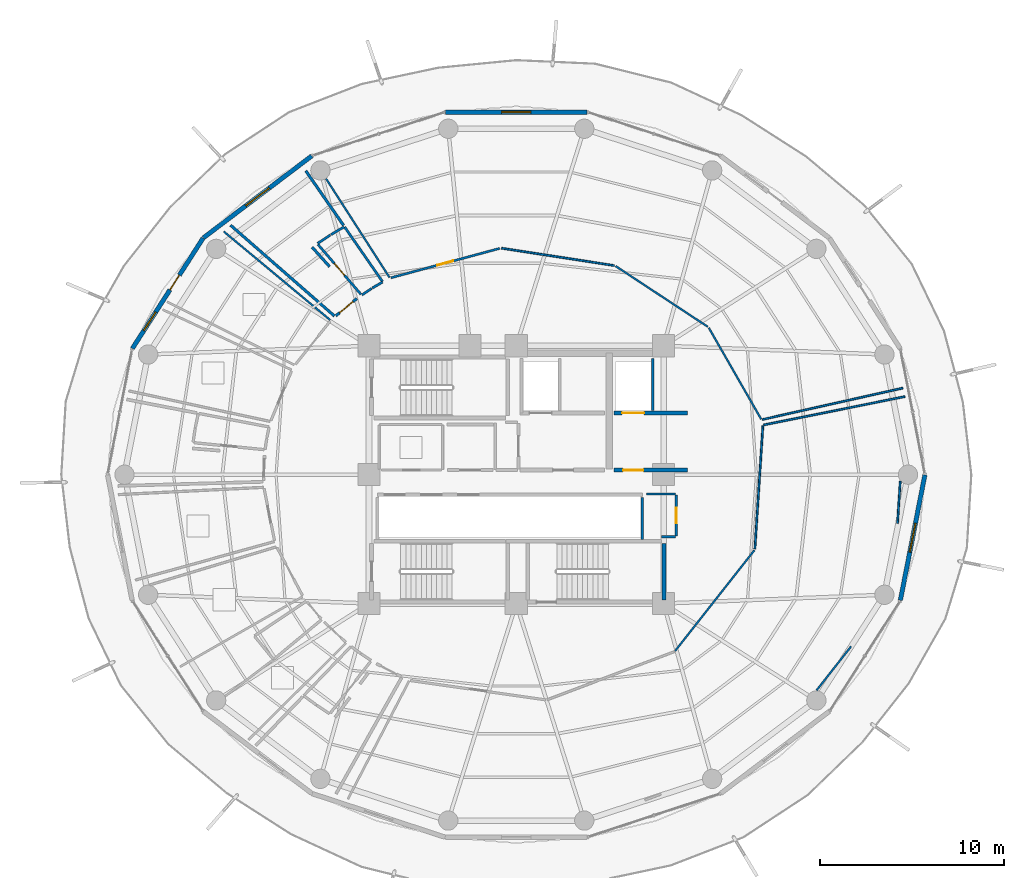
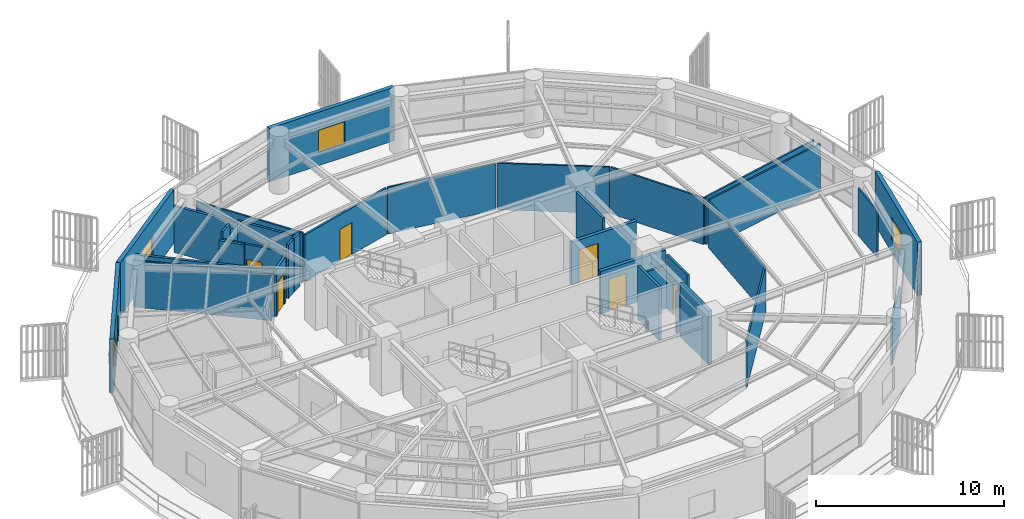
# One storey, part 26 of 31: 34 walls, 7 doors, 4 windows, 11 openings.
"""IFC4 building model written with IfcOpenShell, lengths in metres."""

from ifc_helpers import new_model, si_unit, direction, frame, frame_2d, origin, place, context, subcontext, project, spatial, rectangle, extrude, material, layer, layer_set, type_object, element, fill, save


model = new_model("IFC4")

# Units and contexts
model_context = context("Model", 3, precision=1e-05, world=origin(), true_north=direction((0.0, 1.0)))
body_context = subcontext(model_context, "Body", "Model", "MODEL_VIEW")
ifc_project = project(units=[si_unit("LENGTHUNIT", "METRE"), si_unit("AREAUNIT", "SQUARE_METRE"), si_unit("VOLUMEUNIT", "CUBIC_METRE"), si_unit("PLANEANGLEUNIT", "RADIAN"), si_unit("MASSUNIT", "GRAM", prefix="KILO")], contexts=[model_context])

# Site, building, storey
site_placement = place(None, origin())
site = spatial("IfcSite", under=ifc_project, at=site_placement, CompositionType="ELEMENT")
building_placement = place(site_placement, origin())
building = spatial("IfcBuilding", under=site, at=building_placement, Name="Kelanora Arch Commons", CompositionType="ELEMENT")
storey_placement = place(building_placement, frame((0.0, 0.0, 200.699951171875)))
storey = spatial("IfcBuildingStorey", under=building, at=storey_placement, Name="L51", CompositionType="ELEMENT", Elevation=200.699951171875)

# Walls
ifc_material_1 = material(Name="Autoclaved aerated concrete blockwork with fire plaster", Category="masonry")
ifc_layer_1 = layer(ifc_material_1, 0.14990234375)
ifc_layer_set_1 = layer_set([ifc_layer_1], Name="Autoclaved aerated concrete blockwork with fire plaster")
wall_type_1 = type_object("IfcWallType", Name="W-COMP-150", PredefinedType="PARTITIONING", material=ifc_layer_set_1)
wall_1_placement = place(storey_placement, frame((81.419921875, 61.47998046875, 0.0), z_axis=(0.0, 0.0, 1.0), x_axis=(0.0, 1.0, 0.0)))
element("IfcWall", 1, at=wall_1_placement, inside=storey, type_object=wall_type_1, Name="Firefighting Lift 2 East Shaft Wall L51", PredefinedType="PARTITIONING", context=body_context, shape_type="SweptSolid", body=[
    extrude(rectangle(XDim=2.840087890625, YDim=0.14990234375, at=frame_2d((1.419921875, 0.0))), origin(), (0.0, 0.0, 1.0), 3.47998046875),
])
wall_2_placement = place(storey_placement, frame((80.840087890625, 54.47998046875, 0.0), z_axis=(0.0, 0.0, 1.0), x_axis=(0.0, 1.0, 0.0)))
element("IfcWall", 2, at=wall_2_placement, inside=storey, type_object=wall_type_1, Name="South Lift Bank East Wall L51", PredefinedType="PARTITIONING", context=body_context, shape_type="SweptSolid", body=[
    extrude(rectangle(XDim=2.2900390625, YDim=0.14990234375, at=frame_2d((1.14501953125, 0.0))), origin(), (0.0, 0.0, 1.0), 3.47998046875),
])

# Wall, opening, door
wall_3_placement = place(storey_placement, frame((65.335693359375, 67.56103515625, 0.0), z_axis=(0.0, 0.0, 1.0), x_axis=(-0.773453544763, -0.633852990917, 0.0)))
wall_3 = element("IfcWall", 3, at=wall_3_placement, inside=storey, type_object=wall_type_1, Name="Co-Living Studio L51-01 Entry Partition", PredefinedType="PARTITIONING", context=body_context, shape_type="SweptSolid", body=[
    extrude(rectangle(XDim=1.468994140625, YDim=0.14990234375, at=frame_2d((0.734375, 0.0))), origin(), (0.0, 0.0, 1.0), 3.025146484375),
])
opening_1_placement = place(wall_3_placement, frame((0.259033203125, 0.0, 0.0)))
opening_1 = element("IfcOpeningElement", 4, at=opening_1_placement, cuts=wall_3, Name="Opening D-CLU1", PredefinedType="OPENING", context=body_context, shape_type="SweptSolid", body=[
    extrude(rectangle(XDim=0.949951171875, YDim=2.080078125, at=frame_2d((0.47509765625, 1.0400390625))), frame((0.0, 0.0849609375, 0.0), z_axis=(0.0, -1.0, 0.0), x_axis=(1.0, 0.0, 0.0)), (0.0, 0.0, 1.0), 0.169921875),
])
ifc_material_2 = material(Name="Solid-core acoustic timber cluster entry fire door", Category="wood")
door_type_1 = type_object("IfcDoorType", Name="D-CLU-95", OperationType="NOTDEFINED", PredefinedType="DOOR", material=ifc_material_2)
door_1_placement = place(opening_1_placement, origin())
door_1 = element("IfcDoor", 5, at=door_1_placement, inside=storey, type_object=door_type_1, Name="Co-Living Studio L51-01 Door", OperationType="SINGLE_SWING_RIGHT", OverallHeight=2.080078125, OverallWidth=0.949951171875, PredefinedType="DOOR", context=body_context, shape_type="SweptSolid", body=[
    extrude(rectangle(XDim=0.949951171875, YDim=2.080078125, at=frame_2d((0.47509765625, 1.0400390625))), frame((0.0, 0.02490234375, 0.0), z_axis=(0.0, -1.0, 0.0), x_axis=(1.0, 0.0, 0.0)), (0.0, 0.0, 1.0), 0.050048828125),
])
fill(opening_1, door_1)

# Walls
wall_4_placement = place(storey_placement, frame((64.122802734375, 66.618408203125, 0.0), z_axis=(0.0, 0.0, 1.0), x_axis=(-0.752988337425, 0.658033862124, 0.0)))
element("IfcWall", 6, at=wall_4_placement, inside=storey, type_object=wall_type_1, Name="Co-Living Studio L51-01 Enclosure Partition 2", PredefinedType="PARTITIONING", context=body_context, shape_type="SweptSolid", body=[
    extrude(rectangle(XDim=7.4921875, YDim=0.14990234375, at=frame_2d((3.74609375, 0.0))), origin(), (0.0, 0.0, 1.0), 3.074951171875),
])
wall_5_placement = place(storey_placement, frame((62.56591796875, 74.505126953125, 0.0), z_axis=(0.0, 0.0, 1.0), x_axis=(0.569125600833, -0.822250600776, 0.0)))
element("IfcWall", 7, at=wall_5_placement, inside=storey, type_object=wall_type_1, Name="Co-Living Studio L51-01 Enclosure Partition 5", PredefinedType="PARTITIONING", context=body_context, shape_type="SweptSolid", body=[
    extrude(rectangle(XDim=3.611083984375, YDim=0.14990234375, at=frame_2d((1.8056640625, 0.0))), origin(), (0.0, 0.0, 1.0), 3.025146484375),
])
wall_6_placement = place(storey_placement, frame((62.913818359375, 70.352294921875, 0.0), z_axis=(0.0, 0.0, 1.0), x_axis=(0.667393587085, -0.744705176508, 0.0)))
element("IfcWall", 8, at=wall_6_placement, inside=storey, type_object=wall_type_1, Name="Co-Living Studio L51-01 Enclosure Partition 7", PredefinedType="PARTITIONING", context=body_context, shape_type="SweptSolid", body=[
    extrude(rectangle(XDim=1.41796875, YDim=0.14990234375, at=frame_2d((0.708984375, 0.0))), origin(), (0.0, 0.0, 1.0), 3.175048828125),
])

# Wall, opening, window
ifc_material_3 = material(Name="Precast concrete C40/50 upper-zone terracotta rainscreen", Category="masonry")
ifc_layer_2 = layer(ifc_material_3, 0.239990234375)
ifc_layer_set_2 = layer_set([ifc_layer_2], Name="Precast concrete C40/50 upper-zone terracotta rainscreen")
wall_type_2 = type_object("IfcWallType", Name="W-EXT-TC2", PredefinedType="SOLIDWALL", material=ifc_layer_set_2)
wall_7_placement = place(storey_placement, frame((77.840087890625, 77.6962890625, 0.0), z_axis=(0.0, 0.0, 1.0), x_axis=(-1.0, 0.0, 0.0)))
wall_7 = element("IfcWall", 9, at=wall_7_placement, inside=storey, type_object=wall_type_2, Name="Terracotta Exterior Wall L51-B04", PredefinedType="SOLIDWALL", context=body_context, shape_type="SweptSolid", body=[
    extrude(rectangle(XDim=7.68017578125, YDim=0.239990234375, at=frame_2d((3.840087890625, 0.0))), origin(), (0.0, 0.0, 1.0), 3.47509765625),
])
opening_2_placement = place(wall_7_placement, frame((3.0400390625, 0.0, 0.85009765625)))
opening_2 = element("IfcOpeningElement", 10, at=opening_2_placement, cuts=wall_7, Name="Opening WN-01", PredefinedType="OPENING", context=body_context, shape_type="SweptSolid", body=[
    extrude(rectangle(XDim=1.60009765625, YDim=1.449951171875, at=frame_2d((0.800048828125, 0.72509765625))), frame((0.0, 0.1298828125, 0.0), z_axis=(0.0, -1.0, 0.0), x_axis=(1.0, 0.0, 0.0)), (0.0, 0.0, 1.0), 0.260009765625),
])
ifc_material_4 = material(Name="Terracotta-anodised aluminium frame with operable low-E glazing", Category="masonry")
window_type_1 = type_object("IfcWindowType", Name="WIN-CL-18", PartitioningType="DOUBLE_PANEL_VERTICAL", PredefinedType="WINDOW", material=ifc_material_4)
window_1_placement = place(opening_2_placement, origin())
window_1 = element("IfcWindow", 11, at=window_1_placement, inside=storey, type_object=window_type_1, Name="Co-Living Operable Window L51-B04", OverallHeight=1.449951171875, OverallWidth=1.60009765625, PartitioningType="SINGLE_PANEL", PredefinedType="WINDOW", context=body_context, shape_type="SweptSolid", body=[
    extrude(rectangle(XDim=1.60009765625, YDim=1.449951171875, at=frame_2d((0.800048828125, 0.72509765625))), frame((0.0, 0.030029296875, 0.0), z_axis=(0.0, -1.0, 0.0), x_axis=(1.0, 0.0, 0.0)), (0.0, 0.0, 1.0), 0.06005859375),
])
fill(opening_2, window_1)

wall_8_placement = place(storey_placement, frame((62.887939453125, 75.3115234375, 0.0), z_axis=(0.0, 0.0, 1.0), x_axis=(-0.797701674595, -0.603052268338, 0.0)))
wall_8 = element("IfcWall", 12, at=wall_8_placement, inside=storey, type_object=wall_type_2, Name="Terracotta Exterior Wall L51-B06", PredefinedType="SOLIDWALL", context=body_context, shape_type="SweptSolid", body=[
    extrude(rectangle(XDim=7.373779296875, YDim=0.239990234375, at=frame_2d((3.68701171875, 0.0))), origin(), (0.0, 0.0, 1.0), 3.47509765625),
])
opening_3_placement = place(wall_8_placement, frame((2.886962890625, 0.0, 0.85009765625)))
opening_3 = element("IfcOpeningElement", 13, at=opening_3_placement, cuts=wall_8, Name="Opening WN-01", PredefinedType="OPENING", context=body_context, shape_type="SweptSolid", body=[
    extrude(rectangle(XDim=1.60009765625, YDim=1.449951171875, at=frame_2d((0.800048828125, 0.72509765625))), frame((0.0, 0.1298828125, 0.0), z_axis=(0.0, -1.0, 0.0), x_axis=(1.0, 0.0, 0.0)), (0.0, 0.0, 1.0), 0.260009765625),
])
window_2_placement = place(opening_3_placement, origin())
window_2 = element("IfcWindow", 14, at=window_2_placement, inside=storey, type_object=window_type_1, Name="Co-Living Operable Window L51-B06", OverallHeight=1.449951171875, OverallWidth=1.60009765625, PartitioningType="SINGLE_PANEL", PredefinedType="WINDOW", context=body_context, shape_type="SweptSolid", body=[
    extrude(rectangle(XDim=1.60009765625, YDim=1.449951171875, at=frame_2d((0.800048828125, 0.72509765625))), frame((0.0, 0.030029296875, 0.0), z_axis=(0.0, -1.0, 0.0), x_axis=(1.0, 0.0, 0.0)), (0.0, 0.0, 1.0), 0.06005859375),
])
fill(opening_3, window_2)

# Wall, openings, door, window
wall_9_placement = place(storey_placement, frame((56.985595703125, 70.84326171875, 0.0), z_axis=(0.0, 0.0, 1.0), x_axis=(-0.539539512973, -0.841960280501, 0.0)))
wall_9 = element("IfcWall", 15, at=wall_9_placement, inside=storey, type_object=wall_type_2, Name="Terracotta Exterior Wall L51-B07", PredefinedType="SOLIDWALL", context=body_context, shape_type="SweptSolid", body=[
    extrude(rectangle(XDim=7.11474609375, YDim=0.239990234375, at=frame_2d((3.557373046875, 0.0))), origin(), (0.0, 0.0, 1.0), 3.47509765625),
])
opening_4_placement = place(wall_9_placement, frame((2.382080078125, 0.0, 0.0)))
opening_4 = element("IfcOpeningElement", 16, at=opening_4_placement, cuts=wall_9, Name="Opening DB-01", PredefinedType="OPENING", context=body_context, shape_type="SweptSolid", body=[
    extrude(rectangle(XDim=0.949951171875, YDim=2.10009765625, at=frame_2d((0.47509765625, 1.050048828125))), frame((0.0, 0.1298828125, 0.0), z_axis=(0.0, -1.0, 0.0), x_axis=(1.0, 0.0, 0.0)), (0.0, 0.0, 1.0), 0.260009765625),
])
opening_5_placement = place(wall_9_placement, frame((4.761962890625, 0.0, 0.85009765625)))
opening_5 = element("IfcOpeningElement", 17, at=opening_5_placement, cuts=wall_9, Name="Opening WN-02", PredefinedType="OPENING", context=body_context, shape_type="SweptSolid", body=[
    extrude(rectangle(XDim=1.199951171875, YDim=1.449951171875, at=frame_2d((0.60009765625, 0.72509765625))), frame((0.0, 0.1298828125, 0.0), z_axis=(0.0, -1.0, 0.0), x_axis=(1.0, 0.0, 0.0)), (0.0, 0.0, 1.0), 0.260009765625),
])
ifc_material_5 = material(Name="Terracotta-aluminium thermally broken glazed balcony door", Category="masonry")
door_type_2 = type_object("IfcDoorType", Name="D-BAL-10", OperationType="NOTDEFINED", PredefinedType="DOOR", material=ifc_material_5)
door_2_placement = place(opening_4_placement, frame((0.949951171875, 0.0, 0.0), z_axis=(0.0, 0.0, 1.0), x_axis=(-1.0, 0.0, 0.0)))
door_2 = element("IfcDoor", 18, at=door_2_placement, inside=storey, type_object=door_type_2, Name="Wave Balcony Door L51-B07", OperationType="SINGLE_SWING_LEFT", OverallHeight=2.10009765625, OverallWidth=0.949951171875, PredefinedType="DOOR", context=body_context, shape_type="SweptSolid", body=[
    extrude(rectangle(XDim=0.949951171875, YDim=2.10009765625, at=frame_2d((0.47509765625, 1.050048828125))), frame((0.0, 0.02490234375, 0.0), z_axis=(0.0, -1.0, 0.0), x_axis=(1.0, 0.0, 0.0)), (0.0, 0.0, 1.0), 0.050048828125),
])
fill(opening_4, door_2)
ifc_material_6 = material(Name="Terracotta-anodised aluminium frame with operable awning sash", Category="masonry")
window_type_2 = type_object("IfcWindowType", Name="WIN-CL-12", PartitioningType="SINGLE_PANEL", PredefinedType="WINDOW", material=ifc_material_6)
window_3_placement = place(opening_5_placement, origin())
window_3 = element("IfcWindow", 19, at=window_3_placement, inside=storey, type_object=window_type_2, Name="Co-Living Operable Window L51-B07", OverallHeight=1.449951171875, OverallWidth=1.199951171875, PartitioningType="SINGLE_PANEL", PredefinedType="WINDOW", context=body_context, shape_type="SweptSolid", body=[
    extrude(rectangle(XDim=1.199951171875, YDim=1.449951171875, at=frame_2d((0.60009765625, 0.72509765625))), frame((0.0, 0.030029296875, 0.0), z_axis=(0.0, -1.0, 0.0), x_axis=(1.0, 0.0, 0.0)), (0.0, 0.0, 1.0), 0.06005859375),
])
fill(opening_5, window_3)

# Wall, opening, window
wall_10_placement = place(storey_placement, frame((94.864013671875, 51.17431640625, 0.0), z_axis=(0.0, 0.0, 1.0), x_axis=(0.192069055673, 0.981381413036, 0.0)))
wall_10 = element("IfcWall", 20, at=wall_10_placement, inside=storey, type_object=wall_type_2, Name="Terracotta Exterior Wall L51-B17", PredefinedType="SOLIDWALL", context=body_context, shape_type="SweptSolid", body=[
    extrude(rectangle(XDim=6.940185546875, YDim=0.239990234375, at=frame_2d((3.47021484375, 0.0))), origin(), (0.0, 0.0, 1.0), 3.47509765625),
])
opening_6_placement = place(wall_10_placement, frame((2.669921875, 0.0, 0.85009765625)))
opening_6 = element("IfcOpeningElement", 21, at=opening_6_placement, cuts=wall_10, Name="Opening WN-01", PredefinedType="OPENING", context=body_context, shape_type="SweptSolid", body=[
    extrude(rectangle(XDim=1.60009765625, YDim=1.449951171875, at=frame_2d((0.800048828125, 0.72509765625))), frame((0.0, 0.1298828125, 0.0), z_axis=(0.0, -1.0, 0.0), x_axis=(1.0, 0.0, 0.0)), (0.0, 0.0, 1.0), 0.260009765625),
])
window_4_placement = place(opening_6_placement, origin())
window_4 = element("IfcWindow", 22, at=window_4_placement, inside=storey, type_object=window_type_1, Name="Co-Living Operable Window L51-B17", OverallHeight=1.449951171875, OverallWidth=1.60009765625, PartitioningType="SINGLE_PANEL", PredefinedType="WINDOW", context=body_context, shape_type="SweptSolid", body=[
    extrude(rectangle(XDim=1.60009765625, YDim=1.449951171875, at=frame_2d((0.800048828125, 0.72509765625))), frame((0.0, 0.030029296875, 0.0), z_axis=(0.0, -1.0, 0.0), x_axis=(1.0, 0.0, 0.0)), (0.0, 0.0, 1.0), 0.06005859375),
])
fill(opening_6, window_4)

# Wall, opening, door
ifc_material_7 = material(Name="Concrete C40/50", Category="concrete")
ifc_layer_3 = layer(ifc_material_7, 0.199951171875)
ifc_layer_set_3 = layer_set([ifc_layer_3], Name="Concrete C40/50")
wall_type_3 = type_object("IfcWallType", Name="W-FFL-200", PredefinedType="SOLIDWALL", material=ifc_layer_set_3)
wall_11_placement = place(storey_placement, frame((79.300048828125, 61.35009765625, 0.0), z_axis=(0.0, 0.0, 1.0), x_axis=(1.0, 0.0, 0.0)))
wall_11 = element("IfcWall", 23, at=wall_11_placement, inside=storey, type_object=wall_type_3, Name="Firefighting Lift 2 Shaft Front L51", PredefinedType="SOLIDWALL", context=body_context, shape_type="SweptSolid", body=[
    extrude(rectangle(XDim=4.0, YDim=0.199951171875, at=frame_2d((2.0, 0.0))), origin(), (0.0, 0.0, 1.0), 2.775146484375),
])
opening_7_placement = place(wall_11_placement, frame((0.449951171875, 0.0, 0.0)))
opening_7 = element("IfcOpeningElement", 24, at=opening_7_placement, cuts=wall_11, Name="Opening LD-FF", PredefinedType="OPENING", context=body_context, shape_type="SweptSolid", body=[
    extrude(rectangle(XDim=1.199951171875, YDim=2.14990234375, at=frame_2d((0.60009765625, 1.074951171875))), frame((0.0, 0.10986328125, 0.0), z_axis=(0.0, -1.0, 0.0), x_axis=(1.0, 0.0, 0.0)), (0.0, 0.0, 1.0), 0.219970703125),
])
ifc_material_8 = material(Name="Fire-rated firefighters lift sliding landing door")
door_type_3 = type_object("IfcDoorType", Name="D-LIFT-FF", OperationType="NOTDEFINED", PredefinedType="DOOR", material=ifc_material_8)
door_3_placement = place(opening_7_placement, origin())
door_3 = element("IfcDoor", 25, at=door_3_placement, inside=storey, type_object=door_type_3, Name="Firefighting Lift LF-FF2 Landing Door L51", OperationType="DOUBLE_DOOR_SLIDING", OverallHeight=2.14990234375, OverallWidth=1.199951171875, PredefinedType="DOOR", context=body_context, shape_type="SweptSolid", body=[
    extrude(rectangle(XDim=1.199951171875, YDim=2.14990234375, at=frame_2d((0.60009765625, 1.074951171875))), frame((0.0, 0.02490234375, 0.0), z_axis=(0.0, -1.0, 0.0), x_axis=(1.0, 0.0, 0.0)), (0.0, 0.0, 1.0), 0.050048828125),
])
fill(opening_7, door_3)

wall_12_placement = place(storey_placement, frame((79.300048828125, 58.25, 0.0), z_axis=(0.0, 0.0, 1.0), x_axis=(1.0, 0.0, 0.0)))
wall_12 = element("IfcWall", 26, at=wall_12_placement, inside=storey, type_object=wall_type_3, Name="Firefighting Lobby 2 Enclosure Wall L51", PredefinedType="SOLIDWALL", context=body_context, shape_type="SweptSolid", body=[
    extrude(rectangle(XDim=4.0, YDim=0.199951171875, at=frame_2d((2.0, 0.0))), origin(), (0.0, 0.0, 1.0), 2.775146484375),
])
opening_8_placement = place(wall_12_placement, frame((0.5, 0.0, 0.0)))
opening_8 = element("IfcOpeningElement", 27, at=opening_8_placement, cuts=wall_12, Name="Opening D-FFL1", PredefinedType="OPENING", context=body_context, shape_type="SweptSolid", body=[
    extrude(rectangle(XDim=1.10009765625, YDim=2.10009765625, at=frame_2d((0.550048828125, 1.050048828125))), frame((0.0, 0.10986328125, 0.0), z_axis=(0.0, -1.0, 0.0), x_axis=(1.0, 0.0, 0.0)), (0.0, 0.0, 1.0), 0.219970703125),
])
ifc_material_9 = material(Name="Smoke-sealed firefighting lobby fire door")
door_type_4 = type_object("IfcDoorType", Name="D-FFL-110", OperationType="NOTDEFINED", PredefinedType="DOOR", material=ifc_material_9)
door_4_placement = place(opening_8_placement, frame((1.10009765625, 0.0, 0.0), z_axis=(0.0, 0.0, 1.0), x_axis=(-1.0, 0.0, 0.0)))
door_4 = element("IfcDoor", 28, at=door_4_placement, inside=storey, type_object=door_type_4, Name="Firefighting Lobby 2 Door L51", OperationType="SINGLE_SWING_RIGHT", OverallHeight=2.10009765625, OverallWidth=1.10009765625, PredefinedType="DOOR", context=body_context, shape_type="SweptSolid", body=[
    extrude(rectangle(XDim=1.10009765625, YDim=2.10009765625, at=frame_2d((0.550048828125, 1.050048828125))), frame((0.0, 0.02490234375, 0.0), z_axis=(0.0, -1.0, 0.0), x_axis=(1.0, 0.0, 0.0)), (0.0, 0.0, 1.0), 0.050048828125),
])
fill(opening_8, door_4)

# Walls
ifc_material_10 = material(Name="Lightweight fire-rated acoustic stud partition")
ifc_layer_4 = layer(ifc_material_10, 0.10009765625)
ifc_layer_set_4 = layer_set([ifc_layer_4], Name="Lightweight fire-rated acoustic stud partition")
wall_type_4 = type_object("IfcWallType", Name="W-PART-100", PredefinedType="PARTITIONING", material=ifc_layer_set_4)
wall_13_placement = place(storey_placement, frame((82.627685546875, 48.42236328125, 0.0), z_axis=(0.0, 0.0, 1.0), x_axis=(0.618431543907, 0.785838676511, 0.0)))
element("IfcWall", 29, at=wall_13_placement, inside=storey, type_object=wall_type_4, Name="South-East Social Sky Lounge L51 Enclosure Partition 3", PredefinedType="PARTITIONING", context=body_context, shape_type="SweptSolid", body=[
    extrude(rectangle(XDim=6.962158203125, YDim=0.10009765625, at=frame_2d((3.48095703125, 0.0))), origin(), (0.0, 0.0, 1.0), 3.025146484375),
])
wall_14_placement = place(storey_placement, frame((86.960693359375, 53.96484375, 0.0), z_axis=(0.0, 0.0, 1.0), x_axis=(0.065048371975, 0.997882111927, 0.0)))
element("IfcWall", 30, at=wall_14_placement, inside=storey, type_object=wall_type_4, Name="South-East Social Sky Lounge L51 Enclosure Partition 4", PredefinedType="PARTITIONING", context=body_context, shape_type="SweptSolid", body=[
    extrude(rectangle(XDim=6.699462890625, YDim=0.10009765625, at=frame_2d((3.349609375, 0.0))), origin(), (0.0, 0.0, 1.0), 3.025146484375),
])
wall_15_placement = place(storey_placement, frame((87.438232421875, 60.697998046875, 0.0), z_axis=(0.0, 0.0, 1.0), x_axis=(0.980406493711, 0.196985042808, 0.0)))
element("IfcWall", 31, at=wall_15_placement, inside=storey, type_object=wall_type_4, Name="South-East Social Sky Lounge L51 Enclosure Partition 5", PredefinedType="PARTITIONING", context=body_context, shape_type="SweptSolid", body=[
    extrude(rectangle(XDim=7.834228515625, YDim=0.10009765625, at=frame_2d((3.9169921875, 0.0))), origin(), (0.0, 0.0, 1.0), 3.074951171875),
])
wall_16_placement = place(storey_placement, frame((94.8583984375, 57.64697265625, 0.0), z_axis=(0.0, 0.0, 1.0), x_axis=(-0.065005679068, -0.997884894008, 0.0)))
element("IfcWall", 32, at=wall_16_placement, inside=storey, type_object=wall_type_4, Name="South-East Social Sky Lounge L51 Enclosure Partition 6", PredefinedType="PARTITIONING", context=body_context, shape_type="SweptSolid", body=[
    extrude(rectangle(XDim=2.30224609375, YDim=0.10009765625, at=frame_2d((1.151123046875, 0.0))), origin(), (0.0, 0.0, 1.0), 3.074951171875),
])
wall_17_placement = place(storey_placement, frame((92.189697265625, 48.6728515625, 0.0), z_axis=(0.0, 0.0, 1.0), x_axis=(-0.618194217541, -0.786025387249, 0.0)))
element("IfcWall", 33, at=wall_17_placement, inside=storey, type_object=wall_type_4, Name="South-East Social Sky Lounge L51 Enclosure Partition 7", PredefinedType="PARTITIONING", context=body_context, shape_type="SweptSolid", body=[
    extrude(rectangle(XDim=3.037353515625, YDim=0.10009765625, at=frame_2d((1.5185546875, 0.0))), origin(), (0.0, 0.0, 1.0), 3.074951171875),
])
wall_18_placement = place(storey_placement, frame((87.302001953125, 61.017578125, 0.0), z_axis=(0.0, 0.0, 1.0), x_axis=(-0.497477595841, 0.867476824841, 0.0)))
element("IfcWall", 34, at=wall_18_placement, inside=storey, type_object=wall_type_4, Name="North-East Quiet Study Commons L51 Enclosure Partition 1", PredefinedType="PARTITIONING", context=body_context, shape_type="SweptSolid", body=[
    extrude(rectangle(XDim=5.712890625, YDim=0.10009765625, at=frame_2d((2.8564453125, 0.0))), origin(), (0.0, 0.0, 1.0), 3.025146484375),
])
wall_19_placement = place(storey_placement, frame((84.406494140625, 66.030029296875, 0.0), z_axis=(0.0, 0.0, 1.0), x_axis=(-0.835181355892, 0.549974638297, 0.0)))
element("IfcWall", 35, at=wall_19_placement, inside=storey, type_object=wall_type_4, Name="North-East Quiet Study Commons L51 Enclosure Partition 2", PredefinedType="PARTITIONING", context=body_context, shape_type="SweptSolid", body=[
    extrude(rectangle(XDim=5.996337890625, YDim=0.10009765625, at=frame_2d((2.998046875, 0.0))), origin(), (0.0, 0.0, 1.0), 3.025146484375),
])
wall_20_placement = place(storey_placement, frame((79.325439453125, 69.356201171875, 0.0), z_axis=(0.0, 0.0, 1.0), x_axis=(-0.988312865281, 0.152439103643, 0.0)))
element("IfcWall", 36, at=wall_20_placement, inside=storey, type_object=wall_type_4, Name="North-East Quiet Study Commons L51 Enclosure Partition 3", PredefinedType="PARTITIONING", context=body_context, shape_type="SweptSolid", body=[
    extrude(rectangle(XDim=6.196533203125, YDim=0.10009765625, at=frame_2d((3.09814453125, 0.0))), origin(), (0.0, 0.0, 1.0), 3.025146484375),
])
wall_21_placement = place(storey_placement, frame((67.11328125, 68.711669921875, 0.0), z_axis=(0.0, 0.0, 1.0), x_axis=(-0.540224697902, 0.841520811256, 0.0)))
element("IfcWall", 37, at=wall_21_placement, inside=storey, type_object=wall_type_4, Name="North-East Quiet Study Commons L51 Enclosure Partition 5", PredefinedType="PARTITIONING", context=body_context, shape_type="SweptSolid", body=[
    extrude(rectangle(XDim=6.368896484375, YDim=0.10009765625, at=frame_2d((3.1845703125, 0.0))), origin(), (0.0, 0.0, 1.0), 3.175048828125),
])
wall_22_placement = place(storey_placement, frame((94.9970703125, 62.7041015625, 0.0), z_axis=(0.0, 0.0, 1.0), x_axis=(-0.975765349452, -0.218819521088, 0.0)))
element("IfcWall", 38, at=wall_22_placement, inside=storey, type_object=wall_type_4, Name="North-East Quiet Study Commons L51 Enclosure Partition 10", PredefinedType="PARTITIONING", context=body_context, shape_type="SweptSolid", body=[
    extrude(rectangle(XDim=7.82568359375, YDim=0.10009765625, at=frame_2d((3.912841796875, 0.0))), origin(), (0.0, 0.0, 1.0), 3.074951171875),
])
wall_23_placement = place(storey_placement, frame((58.11669921875, 71.203369140625, 0.0), z_axis=(0.0, 0.0, 1.0), x_axis=(0.768764498043, -0.63953197461, 0.0)))
element("IfcWall", 39, at=wall_23_placement, inside=storey, type_object=wall_type_4, Name="Social Sky Lounge L51-02 Enclosure Partition 4", PredefinedType="PARTITIONING", context=body_context, shape_type="SweptSolid", body=[
    extrude(rectangle(XDim=7.51123046875, YDim=0.10009765625, at=frame_2d((3.755615234375, 0.0))), origin(), (0.0, 0.0, 1.0), 3.025146484375),
])

# Wall, opening, door
ifc_material_11 = material(Name="Acoustic twin-stud fire-rated gypsum partition")
ifc_layer_5 = layer(ifc_material_11, 0.1201171875)
ifc_layer_set_5 = layer_set([ifc_layer_5], Name="Acoustic twin-stud fire-rated gypsum partition")
wall_type_5 = type_object("IfcWallType", Name="W-PART-120", PredefinedType="PARTITIONING", material=ifc_layer_set_5)
wall_24_placement = place(storey_placement, frame((73.10400390625, 70.291259765625, 0.0), z_axis=(0.0, 0.0, 1.0), x_axis=(-0.965361221657, -0.260917059083, 0.0)))
wall_24 = element("IfcWall", 40, at=wall_24_placement, inside=storey, type_object=wall_type_5, Name="North-East Quiet Study Commons L51 Entry Partition", PredefinedType="PARTITIONING", context=body_context, shape_type="SweptSolid", body=[
    extrude(rectangle(XDim=6.123291015625, YDim=0.1201171875, at=frame_2d((3.0615234375, 0.0))), origin(), (0.0, 0.0, 1.0), 3.025146484375),
])
opening_9_placement = place(wall_24_placement, frame((2.612060546875, 0.0, 0.0)))
opening_9 = element("IfcOpeningElement", 41, at=opening_9_placement, cuts=wall_24, Name="Opening D-RM1", PredefinedType="OPENING", context=body_context, shape_type="SweptSolid", body=[
    extrude(rectangle(XDim=0.89990234375, YDim=2.080078125, at=frame_2d((0.449951171875, 1.0400390625))), frame((0.0, 0.070068359375, 0.0), z_axis=(0.0, -1.0, 0.0), x_axis=(1.0, 0.0, 0.0)), (0.0, 0.0, 1.0), 0.14013671875),
])
ifc_material_12 = material(Name="Acoustic fire-rated timber study and lounge door", Category="wood")
door_type_5 = type_object("IfcDoorType", Name="D-ROOM-90", OperationType="NOTDEFINED", PredefinedType="DOOR", material=ifc_material_12)
door_5_placement = place(opening_9_placement, origin())
door_5 = element("IfcDoor", 42, at=door_5_placement, inside=storey, type_object=door_type_5, Name="North-East Quiet Study Commons L51 Door", OperationType="SINGLE_SWING_RIGHT", OverallHeight=2.080078125, OverallWidth=0.89990234375, PredefinedType="DOOR", context=body_context, shape_type="SweptSolid", body=[
    extrude(rectangle(XDim=0.89990234375, YDim=2.080078125, at=frame_2d((0.449951171875, 1.0400390625))), frame((0.0, 0.02490234375, 0.0), z_axis=(0.0, -1.0, 0.0), x_axis=(1.0, 0.0, 0.0)), (0.0, 0.0, 1.0), 0.050048828125),
])
fill(opening_9, door_5)

# Wall
ifc_layer_6 = layer(ifc_material_7, 0.199951171875)
ifc_layer_set_6 = layer_set([ifc_layer_6], Name="Concrete C40/50")
wall_type_6 = type_object("IfcWallType", Name="W-STAIR-200", PredefinedType="SHEAR", material=ifc_layer_set_6)
wall_25_placement = place(storey_placement, frame((82.02001953125, 51.199951171875, 0.0), z_axis=(0.0, 0.0, 1.0), x_axis=(0.0, 1.0, 0.0)))
element("IfcWall", 43, at=wall_25_placement, inside=storey, type_object=wall_type_6, Name="Stair ST-T2 Shaft Wall E L51", PredefinedType="SHEAR", context=body_context, shape_type="SweptSolid", body=[
    extrude(rectangle(XDim=3.070068359375, YDim=0.199951171875, at=frame_2d((1.53515625, 0.0))), origin(), (0.0, 0.0, 1.0), 3.489990234375),
])

# Wall, opening, door
ifc_material_13 = material(Name="Moisture-resistant fire-rated cement-board plumbing wall")
ifc_layer_7 = layer(ifc_material_13, 0.1298828125)
ifc_layer_set_7 = layer_set([ifc_layer_7], Name="Moisture-resistant fire-rated cement-board plumbing wall")
wall_type_7 = type_object("IfcWallType", Name="W-WET-120", PredefinedType="PLUMBINGWALL", material=ifc_layer_set_7)
wall_26_placement = place(storey_placement, frame((82.679931640625, 54.679931640625, 0.0), z_axis=(0.0, 0.0, 1.0), x_axis=(0.0, 1.0, 0.0)))
wall_26 = element("IfcWall", 44, at=wall_26_placement, inside=storey, type_object=wall_type_7, Name="Core Accessible Unisex WC L51 Entry Partition", PredefinedType="PLUMBINGWALL", context=body_context, shape_type="SweptSolid", body=[
    extrude(rectangle(XDim=2.2099609375, YDim=0.1298828125, at=frame_2d((1.10498046875, 0.0))), origin(), (0.0, 0.0, 1.0), 3.47998046875),
])
opening_10_placement = place(wall_26_placement, frame((0.675048828125, 0.0, 0.0)))
opening_10 = element("IfcOpeningElement", 45, at=opening_10_placement, cuts=wall_26, Name="Opening D-BT1", PredefinedType="OPENING", context=body_context, shape_type="SweptSolid", body=[
    extrude(rectangle(XDim=0.860107421875, YDim=2.050048828125, at=frame_2d((0.43017578125, 1.02490234375))), frame((0.0, 0.074951171875, 0.0), z_axis=(0.0, -1.0, 0.0), x_axis=(1.0, 0.0, 0.0)), (0.0, 0.0, 1.0), 0.14990234375),
])
ifc_material_14 = material(Name="Moisture-sealed fire-rated accessible bathroom door")
door_type_6 = type_object("IfcDoorType", Name="D-BATH-85", OperationType="NOTDEFINED", PredefinedType="DOOR", material=ifc_material_14)
door_6_placement = place(opening_10_placement, origin())
door_6 = element("IfcDoor", 46, at=door_6_placement, inside=storey, type_object=door_type_6, Name="Core Accessible Unisex WC L51 Door", OperationType="SINGLE_SWING_RIGHT", OverallHeight=2.050048828125, OverallWidth=0.860107421875, PredefinedType="DOOR", context=body_context, shape_type="SweptSolid", body=[
    extrude(rectangle(XDim=0.860107421875, YDim=2.050048828125, at=frame_2d((0.43017578125, 1.02490234375))), frame((0.0, 0.02490234375, 0.0), z_axis=(0.0, -1.0, 0.0), x_axis=(1.0, 0.0, 0.0)), (0.0, 0.0, 1.0), 0.050048828125),
])
fill(opening_10, door_6)

wall_27_placement = place(storey_placement, frame((65.559814453125, 67.797607421875, 0.0), z_axis=(0.0, 0.0, 1.0), x_axis=(-0.652591857515, 0.757709619515, 0.0)))
wall_27 = element("IfcWall", 47, at=wall_27_placement, inside=storey, type_object=wall_type_7, Name="En-Suite Shower WC L51-01 Entry Partition", PredefinedType="PLUMBINGWALL", context=body_context, shape_type="SweptSolid", body=[
    extrude(rectangle(XDim=3.56982421875, YDim=0.1298828125, at=frame_2d((1.784912109375, 0.0))), origin(), (0.0, 0.0, 1.0), 3.025146484375),
])
opening_11_placement = place(wall_27_placement, frame((1.35498046875, 0.0, 0.0)))
opening_11 = element("IfcOpeningElement", 48, at=opening_11_placement, cuts=wall_27, Name="Opening D-BT1", PredefinedType="OPENING", context=body_context, shape_type="SweptSolid", body=[
    extrude(rectangle(XDim=0.860107421875, YDim=2.050048828125, at=frame_2d((0.43017578125, 1.02490234375))), frame((0.0, 0.074951171875, 0.0), z_axis=(0.0, -1.0, 0.0), x_axis=(1.0, 0.0, 0.0)), (0.0, 0.0, 1.0), 0.14990234375),
])
door_7_placement = place(opening_11_placement, origin())
door_7 = element("IfcDoor", 49, at=door_7_placement, inside=storey, type_object=door_type_6, Name="En-Suite Shower WC L51-01 Door", OperationType="SINGLE_SWING_LEFT", OverallHeight=2.050048828125, OverallWidth=0.860107421875, PredefinedType="DOOR", context=body_context, shape_type="SweptSolid", body=[
    extrude(rectangle(XDim=0.860107421875, YDim=2.050048828125, at=frame_2d((0.43017578125, 1.02490234375))), frame((0.0, 0.02490234375, 0.0), z_axis=(0.0, -1.0, 0.0), x_axis=(1.0, 0.0, 0.0)), (0.0, 0.0, 1.0), 0.050048828125),
])
fill(opening_11, door_7)

# Walls
wall_28_placement = place(storey_placement, frame((81.89990234375, 54.6201171875, 0.0), z_axis=(0.0, 0.0, 1.0), x_axis=(1.0, 0.0, 0.0)))
element("IfcWall", 50, at=wall_28_placement, inside=storey, type_object=wall_type_7, Name="Core Accessible Unisex WC L51 Enclosure Partition 1", PredefinedType="PLUMBINGWALL", context=body_context, shape_type="SweptSolid", body=[
    extrude(rectangle(XDim=0.760009765625, YDim=0.1298828125, at=frame_2d((0.3798828125, 0.0))), origin(), (0.0, 0.0, 1.0), 2.775146484375),
])
wall_29_placement = place(storey_placement, frame((82.659912109375, 56.949951171875, 0.0), z_axis=(0.0, 0.0, 1.0), x_axis=(-1.0, 0.0, 0.0)))
element("IfcWall", 51, at=wall_29_placement, inside=storey, type_object=wall_type_7, Name="Core Accessible Unisex WC L51 Enclosure Partition 3", PredefinedType="PLUMBINGWALL", context=body_context, shape_type="SweptSolid", body=[
    extrude(rectangle(XDim=1.58984375, YDim=0.1298828125, at=frame_2d((0.794921875, 0.0))), origin(), (0.0, 0.0, 1.0), 2.775146484375),
])
wall_30_placement = place(storey_placement, frame((66.727783203125, 68.457763671875, 0.0), z_axis=(0.0, 0.0, 1.0), x_axis=(-0.861116863464, -0.508407068655, 0.0)))
element("IfcWall", 52, at=wall_30_placement, inside=storey, type_object=wall_type_7, Name="En-Suite Shower WC L51-01 Enclosure Partition 1", PredefinedType="PLUMBINGWALL", context=body_context, shape_type="SweptSolid", body=[
    extrude(rectangle(XDim=0.63818359375, YDim=0.1298828125, at=frame_2d((0.319091796875, 0.0))), origin(), (0.0, 0.0, 1.0), 3.47998046875),
])
wall_31_placement = place(storey_placement, frame((66.144287109375, 68.112060546875, 0.0), z_axis=(0.0, 0.0, 1.0), x_axis=(-0.834414447473, -0.551137487246, 0.0)))
element("IfcWall", 53, at=wall_31_placement, inside=storey, type_object=wall_type_7, Name="En-Suite Shower WC L51-01 Enclosure Partition 2", PredefinedType="PLUMBINGWALL", context=body_context, shape_type="SweptSolid", body=[
    extrude(rectangle(XDim=0.633544921875, YDim=0.1298828125, at=frame_2d((0.31689453125, 0.0))), origin(), (0.0, 0.0, 1.0), 3.47998046875),
])
wall_32_placement = place(storey_placement, frame((63.207763671875, 70.55908203125, 0.0), z_axis=(0.0, 0.0, 1.0), x_axis=(0.835081531493, 0.550126199848, 0.0)))
element("IfcWall", 54, at=wall_32_placement, inside=storey, type_object=wall_type_7, Name="En-Suite Shower WC L51-01 Enclosure Partition 4", PredefinedType="PLUMBINGWALL", context=body_context, shape_type="SweptSolid", body=[
    extrude(rectangle(XDim=0.82666015625, YDim=0.1298828125, at=frame_2d((0.413330078125, 0.0))), origin(), (0.0, 0.0, 1.0), 3.47998046875),
])
wall_33_placement = place(storey_placement, frame((63.93212890625, 71.03515625, 0.0), z_axis=(0.0, 0.0, 1.0), x_axis=(0.860534659753, 0.509391891734, 0.0)))
element("IfcWall", 55, at=wall_33_placement, inside=storey, type_object=wall_type_7, Name="En-Suite Shower WC L51-01 Enclosure Partition 5", PredefinedType="PLUMBINGWALL", context=body_context, shape_type="SweptSolid", body=[
    extrude(rectangle(XDim=0.83154296875, YDim=0.1298828125, at=frame_2d((0.415771484375, 0.0))), origin(), (0.0, 0.0, 1.0), 3.025146484375),
])
wall_34_placement = place(storey_placement, frame((64.676513671875, 71.45263671875, 0.0), z_axis=(0.0, 0.0, 1.0), x_axis=(0.569617686403, -0.821909782967, 0.0)))
element("IfcWall", 56, at=wall_34_placement, inside=storey, type_object=wall_type_7, Name="En-Suite Shower WC L51-01 Enclosure Partition 6", PredefinedType="PLUMBINGWALL", context=body_context, shape_type="SweptSolid", body=[
    extrude(rectangle(XDim=3.611328125, YDim=0.1298828125, at=frame_2d((1.8056640625, 0.0))), origin(), (0.0, 0.0, 1.0), 3.175048828125),
])

save(model, "model.ifc")
